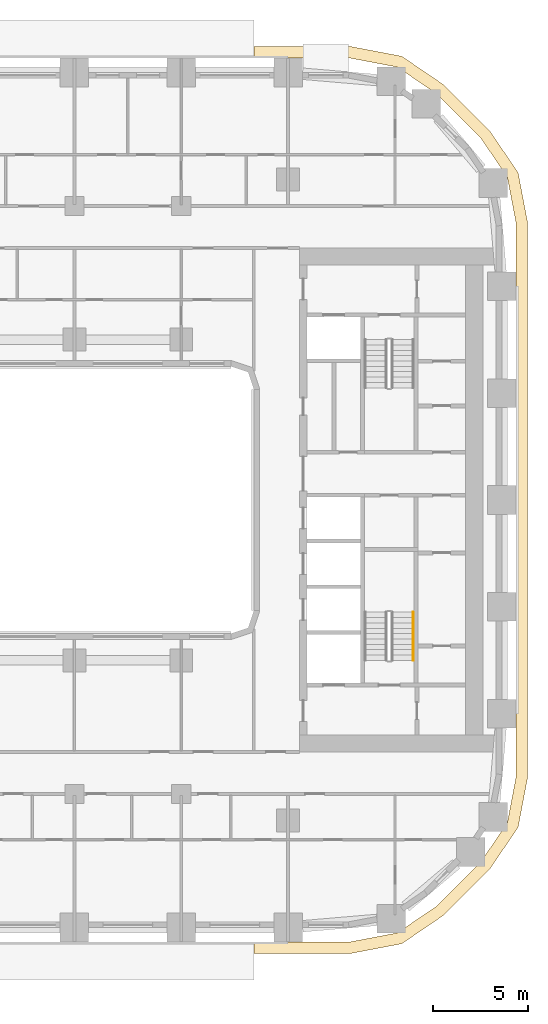
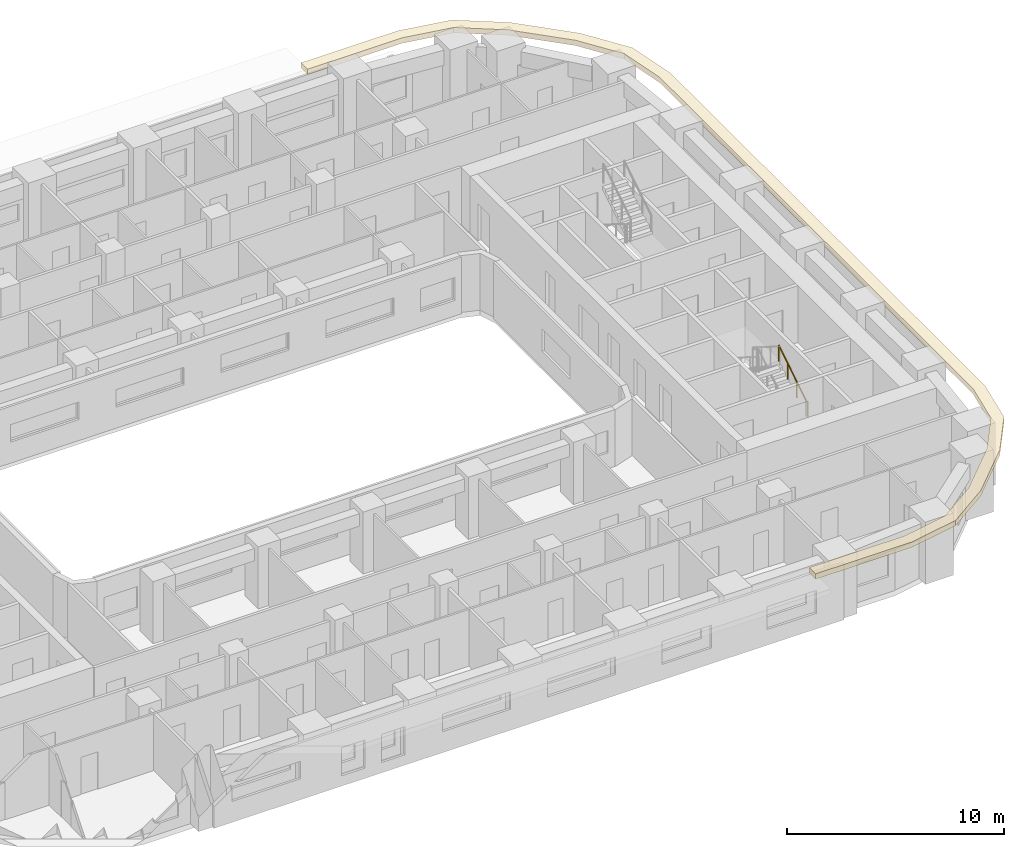
# One storey, part 17 of 21: 1 covering, 1 railing.
"""IFC4 building model written with IfcOpenShell, lengths in metres."""

from ifc_helpers import new_model, si_unit, direction, frame, origin, origin_2d, place, context, subcontext, project, spatial, polyline, circle, outline, extrude, material, layer, layer_set, type_object, element, save


model = new_model("IFC4")

# Units and contexts
model_context = context("Model", 3, precision=1e-05, world=origin(), true_north=direction((0.0, 1.0)))
body_context = subcontext(model_context, "Body", "Model", "MODEL_VIEW")
ifc_project = project(units=[si_unit("LENGTHUNIT", "METRE"), si_unit("AREAUNIT", "SQUARE_METRE"), si_unit("VOLUMEUNIT", "CUBIC_METRE"), si_unit("PLANEANGLEUNIT", "RADIAN"), si_unit("MASSUNIT", "GRAM", prefix="KILO")], contexts=[model_context])

# Site, building, storey
site_placement = place(None, origin())
site = spatial("IfcSite", under=ifc_project, at=site_placement, CompositionType="ELEMENT")
building_placement = place(site_placement, origin())
building = spatial("IfcBuilding", under=site, at=building_placement, Name="Kiln Ring Residences", CompositionType="ELEMENT")
storey_placement = place(building_placement, frame((0.0, 0.0, 48.0)))
storey = spatial("IfcBuildingStorey", under=building, at=storey_placement, Name="L11", CompositionType="ELEMENT", Elevation=48.0)

# Railing
ifc_material_1 = material(Name="Stainless steel", Category="steel")
railing_type = type_object("IfcRailingType", Name="CORE-STAIR-HANDRAIL", PredefinedType="HANDRAIL", material=ifc_material_1)
railing_placement = place(storey_placement, frame((23.35009765625, -8.39990234375, 0.175048828125)))
element("IfcRailing", 1, at=railing_placement, inside=storey, type_object=railing_type, Name="L11 E-STS stair handrail 1", PredefinedType="HANDRAIL", context=body_context, shape_type="SweptSolid", body=[
    extrude(circle(Radius=0.02392578125, at=origin_2d()), frame((0.0, 0.0, 0.8759765625), z_axis=(0.0, 0.848007534815, 0.529984170421), x_axis=(-1.0, 0.0, 0.0)), (0.0, 0.0, 1.0), 2.9716796875),
    extrude(circle(Radius=0.02099609375, at=origin_2d()), origin(), (0.0, 0.0, 1.0), 0.851806640625),
    extrude(circle(Radius=0.02099609375, at=origin_2d()), frame((0.0, 0.840087890625, 0.52490234375)), (0.0, 0.0, 1.0), 0.851806640625),
    extrude(circle(Radius=0.02099609375, at=origin_2d()), frame((0.0, 1.679931640625, 1.050048828125)), (0.0, 0.0, 1.0), 0.851806640625),
    extrude(circle(Radius=0.02099609375, at=origin_2d()), frame((0.0, 2.52001953125, 1.574951171875)), (0.0, 0.0, 1.0), 0.851806640625),
])

# Covering
ifc_material_2 = material(Name="Black powder-coated steel", Category="steel")
ifc_layer = layer(ifc_material_2, 0.300048828125)
ifc_layer_set = layer_set([ifc_layer], Name="SUNSHADE FIN 600")
covering_type = type_object("IfcCoveringType", Name="SUNSHADE FIN 600", PredefinedType="CLADDING", material=ifc_layer_set)
covering_placement = place(storey_placement, frame((0.0, 0.0, 3.199951171875)))
element("IfcCovering", 2, at=covering_placement, inside=storey, type_object=covering_type, Name="SUNSHADE FIN L11", PredefinedType="CLADDING", context=body_context, shape_type="SweptSolid", body=[
    extrude(outline(polyline([(20.127685546875, 23.75), (15.0, 23.75), (15.0, 23.14990234375), (20.07080078125, 23.14990234375), (22.517333984375, 22.683349609375), (24.577392578125, 21.283447265625), (26.88330078125, 18.977294921875), (28.283447265625, 16.91748046875), (28.75, 14.470947265625), (28.75, -14.470947265625), (28.283447265625, -16.91748046875), (26.88330078125, -18.977294921875), (24.577392578125, -21.283447265625), (22.517333984375, -22.683349609375), (20.07080078125, -23.14990234375), (15.0, -23.14990234375), (15.0, -23.75), (20.127685546875, -23.75), (22.751953125, -23.24951171875), (24.96142578125, -21.747802734375), (27.347900390625, -19.361328125), (28.849365234375, -17.15185546875), (29.35009765625, -14.527587890625), (29.35009765625, 14.527587890625), (28.849365234375, 17.15185546875), (27.347900390625, 19.361328125), (24.96142578125, 21.747802734375), (22.751953125, 23.24951171875), (20.127685546875, 23.75)])), origin(), (0.0, 0.0, 1.0), 0.300048828125),
])

save(model, "model.ifc")
